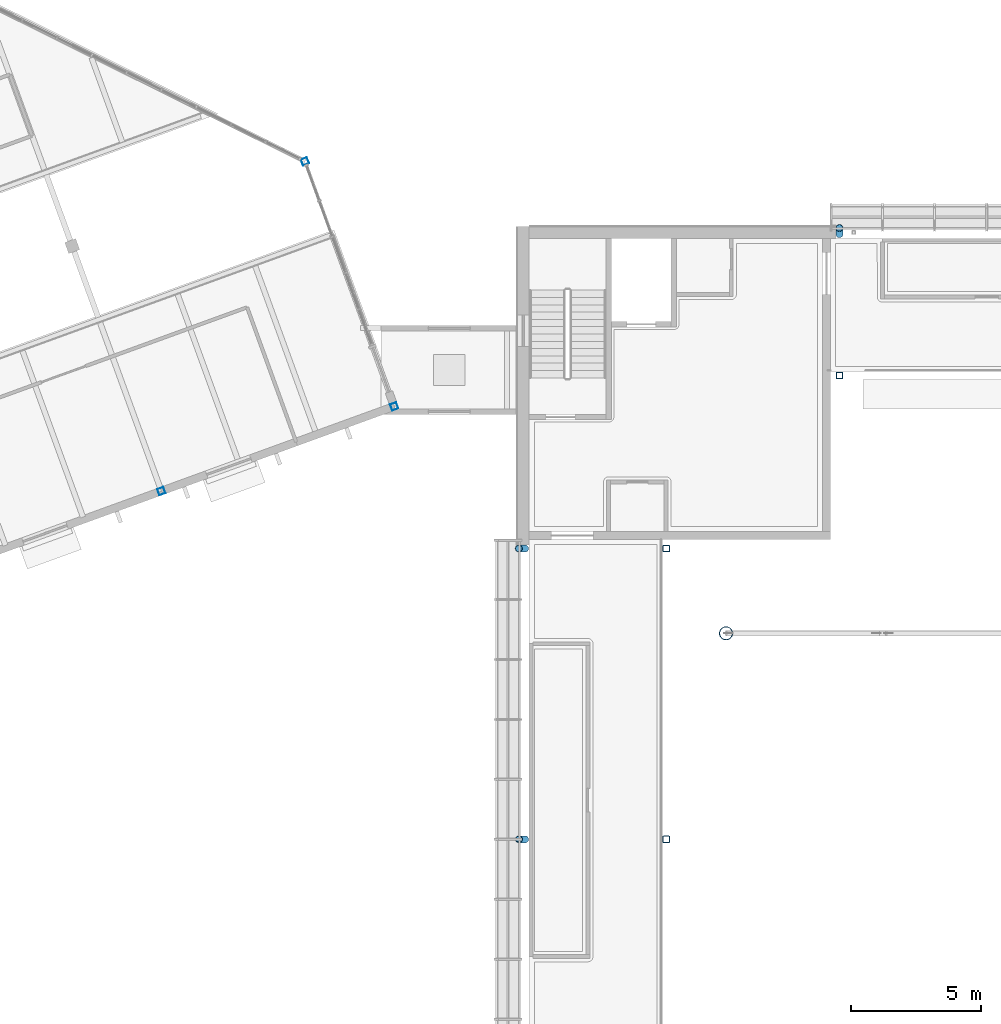
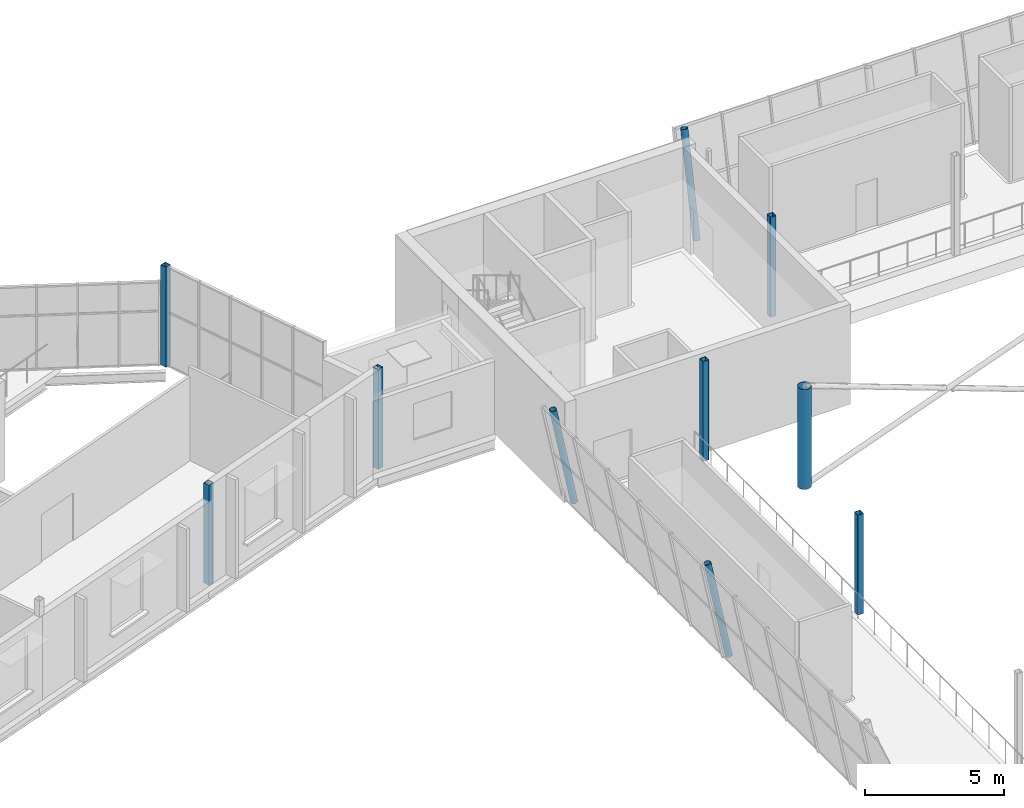
# One storey, part 11 of 115: 10 columns.
"""IFC4 building model written with IfcOpenShell, lengths in metres."""

import ifcopenshell
import ifcopenshell.guid

model = None  # the IFC model being written
_history = None  # IfcOwnerHistory: only IFC2X3 demands one
_inside = {}  # id of a spatial element -> (the spatial element, [elements in it])
_under = {}  # id of a project, library or spatial element -> (it, [spatial elements below it])
_declared = {}  # id of a project -> (the project, [libraries it declares])
_typed = {}  # id of a type object -> (the type object, [elements of that type])
_made_of = {}  # id of a material, layer set ... -> (it, [elements and type objects made of it])


def new_model(schema):
    """Start an empty IFC model of exactly this schema.

    Asked for "IFC4X3", IfcOpenShell would pick the latest addendum, in which some entities
    have other attributes; the version numbers below select the first issue.
    IFC2X3 requires an IfcOwnerHistory on every rooted entity: one is made here for all.
    """
    global model, _history
    if schema == "IFC4X3":
        model = ifcopenshell.file(schema_version=(4, 3, 0, 0))
    else:
        model = ifcopenshell.file(schema=schema)
    _inside.clear()
    _under.clear()
    _declared.clear()
    _typed.clear()
    _made_of.clear()
    _history = None
    if model.schema == "IFC2X3":
        org = make("IfcOrganization", Name="unknown")
        user = make(
            "IfcPersonAndOrganization",
            ThePerson=make("IfcPerson", FamilyName="unknown"),
            TheOrganization=org,
        )
        app = make(
            "IfcApplication",
            ApplicationDeveloper=org,
            Version="unknown",
            ApplicationFullName="unknown",
            ApplicationIdentifier="unknown",
        )
        _history = make(
            "IfcOwnerHistory",
            OwningUser=user,
            OwningApplication=app,
            ChangeAction="ADDED",
            CreationDate=0,
        )
    return model


def make(cls, **values):
    """One entity of the class cls with the attributes given. An attribute that is None is left unset."""
    return model.create_entity(
        cls, **{name: value for name, value in values.items() if value is not None}
    )


def rooted(cls, **values):
    """An entity with a GlobalId (a new one), such as an element, a storey or a relation."""
    return make(cls, GlobalId=ifcopenshell.guid.new(), OwnerHistory=_history, **values)


def si_unit(unit_type, name, prefix=None):
    """IfcSIUnit, for example si_unit("LENGTHUNIT", "METRE", prefix="MILLI")."""
    return make("IfcSIUnit", UnitType=unit_type, Prefix=prefix, Name=name)


def assignment(units):
    """IfcUnitAssignment: the units of a project."""
    return None if units is None else make("IfcUnitAssignment", Units=units)


def point(xyz):
    """IfcCartesianPoint."""
    return None if xyz is None else make("IfcCartesianPoint", Coordinates=xyz)


def direction(xyz):
    """IfcDirection."""
    return None if xyz is None else make("IfcDirection", DirectionRatios=xyz)


def frame(location, z_axis=None, x_axis=None):
    """IfcAxis2Placement3D, a coordinate frame: its origin and axes. An axis left out is left unset."""
    return make(
        "IfcAxis2Placement3D",
        Location=point(location),
        Axis=direction(z_axis),
        RefDirection=direction(x_axis),
    )


def frame_2d(location, x_axis=None):
    """IfcAxis2Placement2D, a coordinate frame in the plane: its origin and x axis."""
    return make(
        "IfcAxis2Placement2D", Location=point(location), RefDirection=direction(x_axis)
    )


def origin():
    """The frame at (0, 0, 0) with its axes left unset."""
    return frame((0.0, 0.0, 0.0))


def origin_2d():
    """The frame at (0, 0) in the plane with its x axis left unset."""
    return frame_2d((0.0, 0.0))


def place(relative_to, where):
    """IfcLocalPlacement: puts the frame where relative to a parent placement (None: the world)."""
    return make(
        "IfcLocalPlacement", PlacementRelTo=relative_to, RelativePlacement=where
    )


def context(
    kind, dimensions, precision=None, world=None, true_north=None, identifier=None
):
    """IfcGeometricRepresentationContext, for example the 3D "Model" context."""
    return make(
        "IfcGeometricRepresentationContext",
        ContextIdentifier=identifier,
        ContextType=kind,
        CoordinateSpaceDimension=dimensions,
        Precision=precision,
        WorldCoordinateSystem=world,
        TrueNorth=true_north,
    )


def subcontext(parent, identifier, kind, view, scale=None):
    """IfcGeometricRepresentationSubContext, for example "Body" below "Model"."""
    return make(
        "IfcGeometricRepresentationSubContext",
        ContextIdentifier=identifier,
        ContextType=kind,
        ParentContext=parent,
        TargetScale=scale,
        TargetView=view,
    )


def project(units=None, contexts=None):
    """IfcProject with its units and contexts."""
    return rooted(
        "IfcProject",
        Name="project",
        RepresentationContexts=contexts,
        UnitsInContext=assignment(units),
    )


def spatial(cls, under=None, at=None, **own):
    """A site, building, storey or space (cls), placed at a placement, below another one or the project."""
    s = rooted(cls, ObjectPlacement=at, **own)
    if under is not None:
        _under.setdefault(under.id(), (under, []))[1].append(s)
    return s


def profile(cls, at=None, kind="AREA", **sizes):
    """A parametric profile (cls). Its sizes go by their IFC names, for example OverallWidth=200.0."""
    return make(cls, ProfileType=kind, Position=at, **sizes)


def hollow_rectangle(**sizes):
    """IfcRectangleHollowProfileDef."""
    return profile("IfcRectangleHollowProfileDef", **sizes)


def hollow_circle(**sizes):
    """IfcCircleHollowProfileDef."""
    return profile("IfcCircleHollowProfileDef", **sizes)


def extrude(swept, where, along, depth):
    """IfcExtrudedAreaSolid: the profile swept, set in the frame where, extruded along a direction by depth."""
    return make(
        "IfcExtrudedAreaSolid",
        SweptArea=swept,
        Position=where,
        ExtrudedDirection=direction(along),
        Depth=depth,
    )


def shape(context_of_items, identifier, shape_type, items):
    """IfcShapeRepresentation: the items that make up one representation, for example the "Body"."""
    return make(
        "IfcShapeRepresentation",
        ContextOfItems=context_of_items,
        RepresentationIdentifier=identifier,
        RepresentationType=shape_type,
        Items=items,
    )


def material(Name=None, Category=None):
    """IfcMaterial."""
    return make("IfcMaterial", Name=Name, Category=Category)


def material_profile(
    of_material, cross_section, Name=None, Category=None, Priority=None
):
    """IfcMaterialProfile: a cross section and its material."""
    return make(
        "IfcMaterialProfile",
        Name=Name,
        Material=of_material,
        Profile=cross_section,
        Priority=Priority,
        Category=Category,
    )


def profile_set(profiles, Name=None, composite=None):
    """IfcMaterialProfileSet."""
    return make(
        "IfcMaterialProfileSet",
        Name=Name,
        MaterialProfiles=profiles,
        CompositeProfile=composite,
    )


def made_of(thing, what):
    """Note that an element or type object is made of a material, layer set ...; save() writes the relation."""
    if what is not None:
        _made_of.setdefault(what.id(), (what, []))[1].append(thing)
    return thing


def type_object(cls, material=None, **own):
    """A type object (cls), such as IfcWallType, which elements share."""
    return made_of(rooted(cls, **own), material)


def element(
    cls,
    number,
    at=None,
    inside=None,
    cuts=None,
    type_object=None,
    material=None,
    context=None,
    identifier="Body",
    shape_type=None,
    held_by="IfcProductDefinitionShape",
    body=None,
    shapes=None,
    **own,
):
    """One element of the class cls, such as IfcWall. Its Tag is "e" and its number.

    at: its placement. inside: the storey or other place that contains it. cuts: it is an
    opening in that element (IfcRelVoidsElement). A single representation is given by context,
    identifier, shape_type and body (its items); several are given by shapes. held_by: the class
    of the entity that holds the representations. save() writes the other relations.
    """
    e = rooted(cls, Tag="e%d" % number, ObjectPlacement=at, **own)
    if body is not None:
        shapes = [shape(context, identifier, shape_type, body)]
    if shapes is not None:
        e.Representation = make(held_by, Representations=shapes)
    if inside is not None:
        _inside.setdefault(inside.id(), (inside, []))[1].append(e)
    if cuts is not None:
        rooted(
            "IfcRelVoidsElement", RelatingBuildingElement=cuts, RelatedOpeningElement=e
        )
    if type_object is not None:
        _typed.setdefault(type_object.id(), (type_object, []))[1].append(e)
    return made_of(e, material)


def aggregate(whole, parts):
    """IfcRelAggregates: a whole, such as a stair, and the parts it consists of."""
    return rooted("IfcRelAggregates", RelatingObject=whole, RelatedObjects=parts)


def save(model, path):
    """Write the relations noted so far, then the file.

    IfcRelAggregates (storeys below a building ...), IfcRelContainedInSpatialStructure (elements
    in a storey), IfcRelDefinesByType, IfcRelAssociatesMaterial and IfcRelDeclares: one each for
    every whole, place, type object, material and project.
    """
    for whole, parts in _under.values():
        aggregate(whole, parts)
    for where, things in _inside.values():
        rooted(
            "IfcRelContainedInSpatialStructure",
            RelatedElements=things,
            RelatingStructure=where,
        )
    for kind, things in _typed.values():
        rooted("IfcRelDefinesByType", RelatedObjects=things, RelatingType=kind)
    for what, things in _made_of.values():
        rooted("IfcRelAssociatesMaterial", RelatedObjects=things, RelatingMaterial=what)
    for by, libraries in _declared.values():
        rooted("IfcRelDeclares", RelatingContext=by, RelatedDefinitions=libraries)
    model.write(path)


model = new_model("IFC4")

# Units and contexts
model_context = context("Model", 3, precision=1e-05, world=origin(), true_north=direction((0.0, 1.0)))
body_context = subcontext(model_context, "Body", "Model", "MODEL_VIEW")
ifc_project = project(units=[si_unit("LENGTHUNIT", "METRE"), si_unit("AREAUNIT", "SQUARE_METRE"), si_unit("VOLUMEUNIT", "CUBIC_METRE"), si_unit("PLANEANGLEUNIT", "RADIAN"), si_unit("MASSUNIT", "GRAM", prefix="KILO")], contexts=[model_context])

# Site, building, storey
site_placement = place(None, origin())
site = spatial("IfcSite", under=ifc_project, at=site_placement, CompositionType="ELEMENT")
building_placement = place(site_placement, origin())
building = spatial("IfcBuilding", under=site, at=building_placement, Name="Windward Yard Aquatics Centre", CompositionType="ELEMENT")
storey_placement = place(building_placement, frame((0.0, 0.0, 5.0)))
storey = spatial("IfcBuildingStorey", under=building, at=storey_placement, Name="L01", CompositionType="ELEMENT", Elevation=5.0)

# Columns
ifc_material_1 = material(Name="Steel S355", Category="steel")
ifc_material_profile_1 = material_profile(ifc_material_1, hollow_rectangle(XDim=0.25390625, YDim=0.25390625, WallThickness=0.01171875, at=origin_2d()), Name="HSS254x254x12.7")
ifc_profile_set_1 = profile_set([ifc_material_profile_1], Name="Steel S355")
column_type_1 = type_object("IfcColumnType", Name="F HSS254x254x12.7 column", PredefinedType="COLUMN", material=ifc_profile_set_1)
for number, where, z_axis, x_axis, name in (
    (1, (38.347412109375, 85.852294921875, 0.0), (0.0, 0.0, 1.0), (0.939692620786, 0.342020143326, 0.0), "F.COL.L01.04"),
    (2, (47.2744140625, 89.1015625, 0.0), (0.0, 0.0, 1.0), (0.939692620786, 0.342020143326, 0.0), "F.COL.L01.05"),
    (3, (43.854248046875, 98.498291015625, 0.0), (0.0, 0.0, 1.0), (0.939692620786, 0.342020143326, 0.0), "F.COL.L01.06"),
):
    element("IfcColumn", number, at=place(storey_placement, frame(where, z_axis=z_axis, x_axis=x_axis)), inside=storey, type_object=column_type_1, Name=name, PredefinedType="COLUMN", context=body_context, shape_type="SweptSolid", body=[
        extrude(hollow_rectangle(XDim=0.25390625, YDim=0.25390625, WallThickness=0.01171875, at=origin_2d()), origin(), (0.0, 0.0, 1.0), 4.39990234375),
    ])
ifc_material_2 = material(Name="Steel ASTM A500 Gr C", Category="steel")
ifc_material_profile_2 = material_profile(ifc_material_2, hollow_circle(Radius=0.25390625, WallThickness=0.015869140625, at=origin_2d()), Name="HSS508X15.9")
ifc_profile_set_2 = profile_set([ifc_material_profile_2], Name="Steel ASTM A500 Gr C")
column_type_2 = type_object("IfcColumnType", Name="H arch column HSS508X15.9", PredefinedType="COLUMN", material=ifc_profile_set_2)
column_placement = place(storey_placement, frame((60.0, 80.39990234375, 0.0), z_axis=(0.0, 0.0, 1.0), x_axis=(1.0, 0.0, 0.0)))
element("IfcColumn", 4, at=column_placement, inside=storey, type_object=column_type_2, Name="H.AC.N1.L01", PredefinedType="COLUMN", context=body_context, shape_type="SweptSolid", body=[
    extrude(hollow_circle(Radius=0.25390625, WallThickness=0.015869140625, at=origin_2d()), origin(), (0.0, 0.0, 1.0), 4.39990234375),
])
ifc_material_profile_3 = material_profile(ifc_material_2, hollow_rectangle(XDim=0.25390625, YDim=0.25390625, WallThickness=0.015869140625, InnerFilletRadius=0.008056640625, OuterFilletRadius=0.02392578125, at=origin_2d()), Name="HSS254X254X15.9")
ifc_profile_set_3 = profile_set([ifc_material_profile_3], Name="Steel ASTM A500 Gr C")
column_type_3 = type_object("IfcColumnType", Name="H inner column HSS254X254X15.9", PredefinedType="COLUMN", material=ifc_profile_set_3)
for number, where, z_axis, x_axis, name in (
    (5, (64.35009765625, 90.290283203125, 0.0), (0.0, 0.0, 1.0), (1.0, 0.0, 0.0), "H.IC.N1.L01"),
    (6, (57.709716796875, 72.5, 0.0), (0.0, 0.0, 1.0), (1.0, 0.0, 0.0), "H.IC.W4.L01"),
    (7, (57.709716796875, 83.64990234375, 0.0), (0.0, 0.0, 1.0), (1.0, 0.0, 0.0), "H.IC.W5.L01"),
):
    element("IfcColumn", number, at=place(storey_placement, frame(where, z_axis=z_axis, x_axis=x_axis)), inside=storey, type_object=column_type_3, Name=name, PredefinedType="COLUMN", context=body_context, shape_type="SweptSolid", body=[
        extrude(hollow_rectangle(XDim=0.25390625, YDim=0.25390625, WallThickness=0.015869140625, InnerFilletRadius=0.008056640625, OuterFilletRadius=0.02392578125, at=origin_2d()), origin(), (0.0, 0.0, 1.0), 4.39990234375),
    ])
ifc_material_profile_4 = material_profile(ifc_material_2, hollow_circle(Radius=0.136474609375, WallThickness=0.0126953125, at=origin_2d()), Name="HSS273.1X12.7")
ifc_profile_set_4 = profile_set([ifc_material_profile_4], Name="Steel ASTM A500 Gr C")
column_type_4 = type_object("IfcColumnType", Name="H tier 1 leg HSS273.1X12.7", PredefinedType="COLUMN", material=ifc_profile_set_4)
for number, where, z_axis, x_axis, name in (
    (8, (64.35009765625, 95.70556640625, 0.02734375), (0.0, 0.19937683017, 0.979922894717), (-1.0, 0.0, 0.0), "H.TL.N1.T1A.L01"),
    (9, (52.29443359375, 72.5, 0.02734375), (-0.19937683017, 0.0, 0.979922894717), (0.0, -1.0, 0.0), "H.TL.W4.T1A.L01"),
    (10, (52.29443359375, 83.64990234375, 0.02734375), (-0.19937683017, 0.0, 0.979922894717), (0.0, -1.0, 0.0), "H.TL.W5.T1A.L01"),
):
    element("IfcColumn", number, at=place(storey_placement, frame(where, z_axis=z_axis, x_axis=x_axis)), inside=storey, type_object=column_type_4, Name=name, PredefinedType="COLUMN", context=body_context, shape_type="SweptSolid", body=[
        extrude(hollow_circle(Radius=0.136474609375, WallThickness=0.0126953125, at=origin_2d()), origin(), (0.0, 0.0, 1.0), 4.462158203125),
    ])

save(model, "model.ifc")
